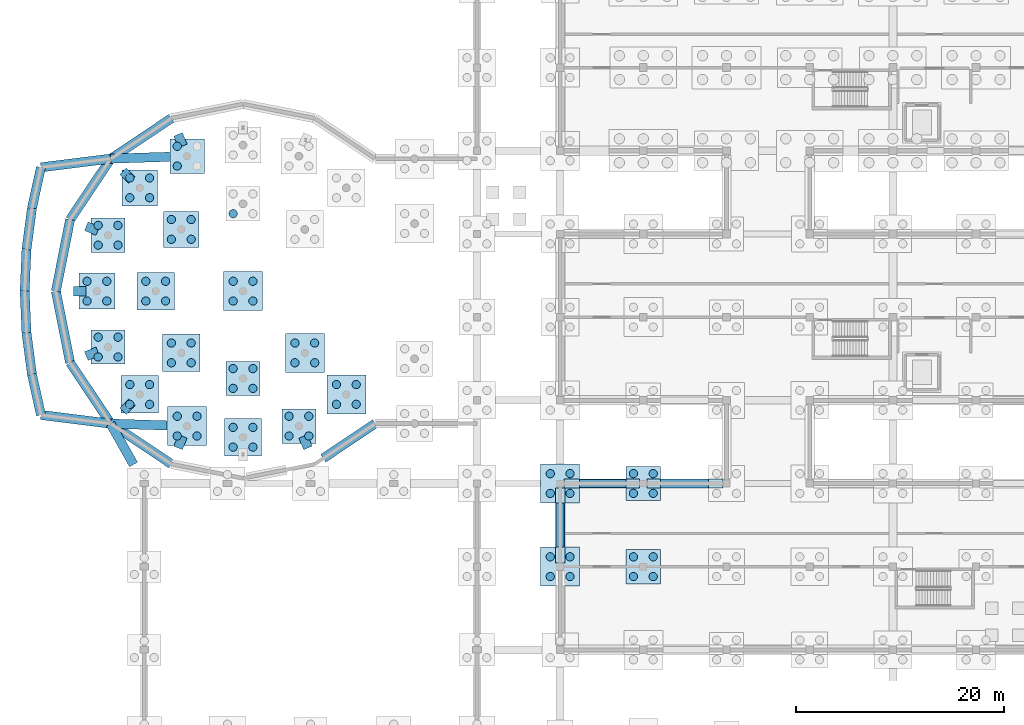
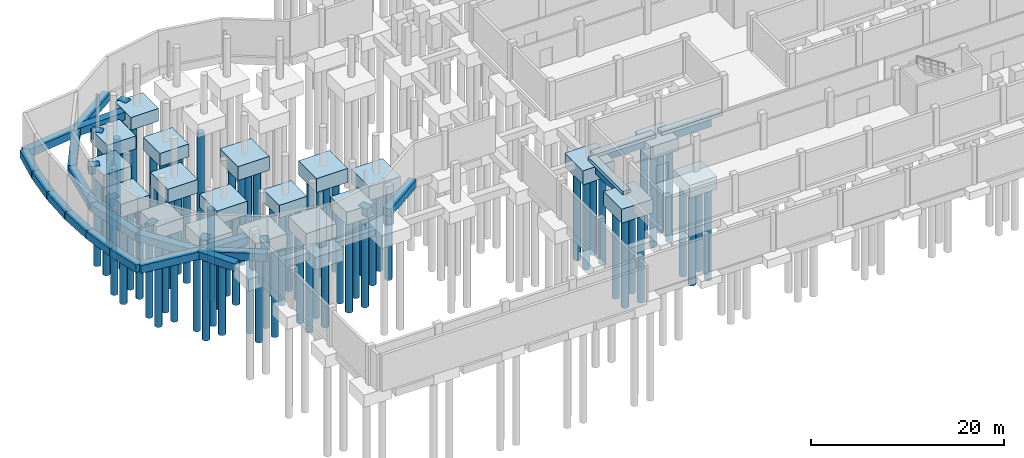
# One storey, part 2 of 51: 79 piles, 52 footings.
"""IFC4 building model written with IfcOpenShell, lengths in metres."""

from ifc_helpers import new_model, si_unit, direction, frame, origin, origin_2d, place, context, subcontext, project, spatial, rectangle, circle, extrude, material, material_profile, profile_set, type_object, element, save


model = new_model("IFC4")

# Units and contexts
model_context = context("Model", 3, precision=1e-05, world=origin(), true_north=direction((0.0, 1.0)))
body_context = subcontext(model_context, "Body", "Model", "MODEL_VIEW")
ifc_project = project(units=[si_unit("LENGTHUNIT", "METRE"), si_unit("AREAUNIT", "SQUARE_METRE"), si_unit("VOLUMEUNIT", "CUBIC_METRE"), si_unit("PLANEANGLEUNIT", "RADIAN"), si_unit("MASSUNIT", "GRAM", prefix="KILO")], contexts=[model_context])

# Site, building, storey
site_placement = place(None, origin())
site = spatial("IfcSite", under=ifc_project, at=site_placement, CompositionType="ELEMENT")
building_placement = place(site_placement, origin())
building = spatial("IfcBuilding", under=site, at=building_placement, Name="Jelvoka-Kovrelna Polytechnic", CompositionType="ELEMENT")
storey_placement = place(building_placement, frame((0.0, 0.0, -4.5)))
storey = spatial("IfcBuildingStorey", under=building, at=storey_placement, Name="B01", CompositionType="ELEMENT", Elevation=-4.5)

# Footings
ifc_material_1 = material(Name="Concrete C35/45", Category="concrete")
footing_type_1 = type_object("IfcFootingType", Name="Footing_PileCap_PC4A", PredefinedType="PILE_CAP", material=ifc_material_1)
for number, where, z_axis, x_axis, name in (
    (1, (64.0, 16.0, -2.005126953125), (0.0, 0.0, 1.0), (1.0, 0.0, 0.0), "Bored pile cap 036 (PC-4)"),
    (2, (64.0, 24.0, -2.005126953125), (0.0, 0.0, 1.0), (1.0, 0.0, 0.0), "Bored pile cap 060 (PC-4)"),
    (3, (30.876708984375, 29.51953125, -2.005126953125), (0.0, 0.0, 1.0), (1.0, 0.0, 0.0), "Bored pile cap 080 (PC-4)"),
    (4, (25.5, 34.10009765625, -2.005126953125), (0.0, 0.0, 1.0), (1.0, 0.0, 0.0), "Bored pile cap 104 (PC-4)"),
    (5, (12.51953125, 37.123291015625, -2.005126953125), (0.0, 0.0, 1.0), (1.0, 0.0, 0.0), "Bored pile cap 108 (PC-4)"),
    (6, (12.51953125, 47.876708984375, -2.005126953125), (0.0, 0.0, 1.0), (1.0, 0.0, 0.0), "Bored pile cap 132 (PC-4)"),
    (7, (20.123291015625, 55.48046875, -2.005126953125), (0.0, 0.0, 1.0), (1.0, 0.0, 0.0), "Bored pile cap 160 (PC-4)"),
):
    element("IfcFooting", number, at=place(storey_placement, frame(where, z_axis=z_axis, x_axis=x_axis)), inside=storey, type_object=footing_type_1, Name=name, PredefinedType="PILE_CAP", context=body_context, shape_type="SweptSolid", body=[
        extrude(rectangle(XDim=3.300048828125, YDim=3.300048828125, at=origin_2d()), origin(), (0.0, 0.0, 1.0), 1.60009765625),
    ])
ifc_material_2 = material(Name="Concrete C35/45", Category="concrete")
footing_type_2 = type_object("IfcFootingType", Name="Footing_PileCap_PC4B", PredefinedType="PILE_CAP", material=ifc_material_2)
for number, where, z_axis, x_axis, name in (
    (8, (11.449951171875, 42.5, -2.054931640625), (0.0, 0.0, 1.0), (1.0, 0.0, 0.0), "Bored pile cap 129 (PC-4)"),
    (9, (19.560302734375, 48.439697265625, -2.054931640625), (0.0, 0.0, 1.0), (1.0, 0.0, 0.0), "Bored pile cap 153 (PC-4)"),
    (10, (15.565185546875, 52.434814453125, -2.054931640625), (0.0, 0.0, 1.0), (1.0, 0.0, 0.0), "Bored pile cap 157 (PC-4)"),
):
    element("IfcFooting", number, at=place(storey_placement, frame(where, z_axis=z_axis, x_axis=x_axis)), inside=storey, type_object=footing_type_2, Name=name, PredefinedType="PILE_CAP", context=body_context, shape_type="SweptSolid", body=[
        extrude(rectangle(XDim=3.449951171875, YDim=3.449951171875, at=origin_2d()), origin(), (0.0, 0.0, 1.0), 1.64990234375),
    ])
ifc_material_3 = material(Name="Concrete C35/45", Category="concrete")
footing_type_3 = type_object("IfcFootingType", Name="Footing_PileCap_PC4C", PredefinedType="PILE_CAP", material=ifc_material_3)
for number, where, z_axis, x_axis, name in (
    (11, (25.5, 28.449951171875, -2.10498046875), (0.0, 0.0, 1.0), (1.0, 0.0, 0.0), "Bored pile cap 078 (PC-4)"),
    (12, (15.565185546875, 32.565185546875, -2.10498046875), (0.0, 0.0, 1.0), (1.0, 0.0, 0.0), "Bored pile cap 102 (PC-4)"),
    (13, (19.560302734375, 36.560302734375, -2.10498046875), (0.0, 0.0, 1.0), (1.0, 0.0, 0.0), "Bored pile cap 106 (PC-4)"),
    (14, (17.10009765625, 42.5, -2.10498046875), (0.0, 0.0, 1.0), (1.0, 0.0, 0.0), "Bored pile cap 130 (PC-4)"),
):
    element("IfcFooting", number, at=place(storey_placement, frame(where, z_axis=z_axis, x_axis=x_axis)), inside=storey, type_object=footing_type_3, Name=name, PredefinedType="PILE_CAP", context=body_context, shape_type="SweptSolid", body=[
        extrude(rectangle(XDim=3.60009765625, YDim=3.60009765625, at=origin_2d()), origin(), (0.0, 0.0, 1.0), 1.699951171875),
    ])
ifc_material_4 = material(Name="Concrete C35/45", Category="concrete")
footing_type_4 = type_object("IfcFootingType", Name="Footing_PileCap_PC4D", PredefinedType="PILE_CAP", material=ifc_material_4)
for number, where, z_axis, x_axis, name in (
    (15, (56.0, 16.0, -2.155029296875), (0.0, 0.0, 1.0), (1.0, 0.0, 0.0), "Bored pile cap 035 (PC-4)"),
    (16, (56.0, 24.0, -2.155029296875), (0.0, 0.0, 1.0), (1.0, 0.0, 0.0), "Bored pile cap 059 (PC-4)"),
    (17, (20.123291015625, 29.51953125, -2.155029296875), (0.0, 0.0, 1.0), (1.0, 0.0, 0.0), "Bored pile cap 079 (PC-4)"),
    (18, (35.434814453125, 32.565185546875, -2.155029296875), (0.0, 0.0, 1.0), (1.0, 0.0, 0.0), "Bored pile cap 103 (PC-4)"),
    (19, (31.439697265625, 36.560302734375, -2.155029296875), (0.0, 0.0, 1.0), (1.0, 0.0, 0.0), "Bored pile cap 107 (PC-4)"),
    (20, (25.5, 42.5, -2.155029296875), (0.0, 0.0, 1.0), (1.0, 0.0, 0.0), "Bored pile cap 131 (PC-4)"),
):
    element("IfcFooting", number, at=place(storey_placement, frame(where, z_axis=z_axis, x_axis=x_axis)), inside=storey, type_object=footing_type_4, Name=name, PredefinedType="PILE_CAP", context=body_context, shape_type="SweptSolid", body=[
        extrude(rectangle(XDim=3.75, YDim=3.75, at=origin_2d()), origin(), (0.0, 0.0, 1.0), 1.75),
    ])
ifc_material_5 = material(Name="Concrete C35/45", Category="concrete")
footing_type_5 = type_object("IfcFootingType", Name="Footing_Strip_SF2", PredefinedType="STRIP_FOOTING", material=ifc_material_5)
footing_1_placement = place(storey_placement, frame((56.0, 20.0, -1.255126953125), z_axis=(0.0, 0.0, 1.0), x_axis=(0.0, 1.0, 0.0)))
element("IfcFooting", 21, at=footing_1_placement, inside=storey, type_object=footing_type_5, Name="Strip foundation tie beam 036", PredefinedType="STRIP_FOOTING", context=body_context, shape_type="SweptSolid", body=[
    extrude(rectangle(XDim=4.24609375, YDim=0.75, at=origin_2d()), origin(), (0.0, 0.0, 1.0), 0.85009765625),
])
footing_2_placement = place(storey_placement, frame((60.112548828125, 24.0, -1.255126953125), z_axis=(0.0, 0.0, 1.0), x_axis=(1.0, 0.0, 0.0)))
element("IfcFooting", 22, at=footing_2_placement, inside=storey, type_object=footing_type_5, Name="Strip foundation tie beam 037", PredefinedType="STRIP_FOOTING", context=body_context, shape_type="SweptSolid", body=[
    extrude(rectangle(XDim=4.470947265625, YDim=0.75, at=origin_2d()), origin(), (0.0, 0.0, 1.0), 0.85009765625),
])
ifc_material_6 = material(Name="Concrete C35/45", Category="concrete")
footing_type_6 = type_object("IfcFootingType", Name="Footing_Strip_SF3", PredefinedType="STRIP_FOOTING", material=ifc_material_6)
footing_3_placement = place(storey_placement, frame((67.96240234375, 24.0, -1.35498046875), z_axis=(0.0, 0.0, 1.0), x_axis=(1.0, 0.0, 0.0)))
element("IfcFooting", 23, at=footing_3_placement, inside=storey, type_object=footing_type_6, Name="Strip foundation tie beam 054", PredefinedType="STRIP_FOOTING", context=body_context, shape_type="SweptSolid", body=[
    extrude(rectangle(XDim=4.62109375, YDim=0.89990234375, at=origin_2d()), origin(), (0.0, 0.0, 1.0), 0.949951171875),
])
for number, where, z_axis, x_axis, name in (
    (24, (15.69189453125, 57.1787109375, -1.35498046875), (0.0, 0.0, 1.0), (0.831469612303, 0.55557023302, 0.0), "Strip foundation tie beam 304"),
    (25, (10.821044921875, 52.30810546875, -1.35498046875), (0.0, 0.0, 1.0), (0.55557023302, 0.831469612303, 0.0), "Strip foundation tie beam 305"),
    (26, (8.18505859375, 45.944091796875, -1.35498046875), (0.0, 0.0, 1.0), (0.195090322016, 0.980785280403, 0.0), "Strip foundation tie beam 306"),
    (27, (8.18505859375, 39.055908203125, -1.35498046875), (0.0, 0.0, 1.0), (-0.195090322016, 0.980785280403, 0.0), "Strip foundation tie beam 307"),
    (28, (10.821044921875, 32.69189453125, -1.35498046875), (0.0, 0.0, 1.0), (-0.55557023302, 0.831469612303, 0.0), "Strip foundation tie beam 308"),
    (29, (15.69189453125, 27.821044921875, -1.35498046875), (0.0, 0.0, 1.0), (-0.831469612303, 0.55557023302, 0.0), "Strip foundation tie beam 309"),
):
    element("IfcFooting", number, at=place(storey_placement, frame(where, z_axis=z_axis, x_axis=x_axis)), inside=storey, type_object=footing_type_6, Name=name, PredefinedType="STRIP_FOOTING", context=body_context, shape_type="SweptSolid", body=[
        extrude(rectangle(XDim=7.023193359375, YDim=0.89990234375, at=origin_2d()), origin(), (0.0, 0.0, 1.0), 0.949951171875),
    ])
footing_4_placement = place(storey_placement, frame((35.722900390625, 28.098388671875, -1.35498046875), z_axis=(0.0, 0.0, 1.0), x_axis=(0.831469612303, 0.55557023302, 0.0)))
element("IfcFooting", 30, at=footing_4_placement, inside=storey, type_object=footing_type_6, Name="Strip foundation tie beam 312", PredefinedType="STRIP_FOOTING", context=body_context, shape_type="SweptSolid", body=[
    extrude(rectangle(XDim=6.025146484375, YDim=0.89990234375, at=origin_2d()), origin(), (0.0, 0.0, 1.0), 0.949951171875),
])
footing_5_placement = place(storey_placement, frame((5.633056640625, 52.44677734375, -1.35498046875), z_axis=(0.0, 0.0, 1.0), x_axis=(0.216439613938, 0.97629600712, 0.0)))
element("IfcFooting", 31, at=footing_5_placement, inside=storey, type_object=footing_type_6, Name="Strip foundation tie beam 317", PredefinedType="STRIP_FOOTING", context=body_context, shape_type="SweptSolid", body=[
    extrude(rectangle(XDim=4.012939453125, YDim=0.89990234375, at=origin_2d()), origin(), (0.0, 0.0, 1.0), 0.949951171875),
])
for number, where, z_axis, x_axis, name in (
    (32, (4.936279296875, 48.493896484375, -1.35498046875), (0.0, 0.0, 1.0), (0.13052619222, 0.991444861374, 0.0), "Strip foundation tie beam 318"),
    (33, (4.58740234375, 44.499755859375, -1.35498046875), (0.0, 0.0, 1.0), (0.043619387365, 0.999048221582, 0.0), "Strip foundation tie beam 319"),
    (34, (4.587646484375, 40.490478515625, -1.35498046875), (0.0, 0.0, 1.0), (-0.043619387365, 0.999048221582, 0.0), "Strip foundation tie beam 320"),
    (35, (4.9375, 36.49658203125, -1.35498046875), (0.0, 0.0, 1.0), (-0.13052619222, 0.991444861374, 0.0), "Strip foundation tie beam 321"),
    (36, (5.634033203125, 32.548583984375, -1.35498046875), (0.0, 0.0, 1.0), (-0.216439613938, 0.97629600712, 0.0), "Strip foundation tie beam 322"),
):
    element("IfcFooting", number, at=place(storey_placement, frame(where, z_axis=z_axis, x_axis=x_axis)), inside=storey, type_object=footing_type_6, Name=name, PredefinedType="STRIP_FOOTING", context=body_context, shape_type="SweptSolid", body=[
        extrude(rectangle(XDim=4.00341796875, YDim=0.89990234375, at=origin_2d()), origin(), (0.0, 0.0, 1.0), 0.949951171875),
    ])
for number, where, z_axis, x_axis, name in (
    (37, (9.41259765625, 30.176025390625, -1.35498046875), (0.0, 0.0, 1.0), (-0.99226708428, 0.124121043561, 0.0), "Strip foundation tie beam 323"),
    (38, (9.41259765625, 54.823974609375, -1.35498046875), (0.0, 0.0, 1.0), (0.99226708428, 0.124121043561, 0.0), "Strip foundation tie beam 324"),
):
    element("IfcFooting", number, at=place(storey_placement, frame(where, z_axis=z_axis, x_axis=x_axis)), inside=storey, type_object=footing_type_6, Name=name, PredefinedType="STRIP_FOOTING", context=body_context, shape_type="SweptSolid", body=[
        extrude(rectangle(XDim=6.74267578125, YDim=0.89990234375, at=origin_2d()), origin(), (0.0, 0.0, 1.0), 0.949951171875),
    ])
footing_6_placement = place(storey_placement, frame((15.48095703125, 29.669921875, -1.35498046875), z_axis=(0.0, 0.0, 1.0), x_axis=(-0.999478768727, 0.032282981026, 0.0)))
element("IfcFooting", 39, at=footing_6_placement, inside=storey, type_object=footing_type_6, Name="Strip foundation tie beam 325", PredefinedType="STRIP_FOOTING", context=body_context, shape_type="SweptSolid", body=[
    extrude(rectangle(XDim=5.41650390625, YDim=0.89990234375, at=origin_2d()), origin(), (0.0, 0.0, 1.0), 0.949951171875),
])
footing_7_placement = place(storey_placement, frame((13.866943359375, 27.788330078125, -1.35498046875), z_axis=(0.0, 0.0, 1.0), x_axis=(-0.490599612724, 0.871385115776, 0.0)))
element("IfcFooting", 40, at=footing_7_placement, inside=storey, type_object=footing_type_6, Name="Strip foundation tie beam 326", PredefinedType="STRIP_FOOTING", context=body_context, shape_type="SweptSolid", body=[
    extrude(rectangle(XDim=4.507080078125, YDim=0.89990234375, at=origin_2d()), origin(), (0.0, 0.0, 1.0), 0.949951171875),
])
footing_8_placement = place(storey_placement, frame((15.596923828125, 55.333984375, -1.35498046875), z_axis=(0.0, 0.0, 1.0), x_axis=(0.999478768727, 0.032282981026, 0.0)))
element("IfcFooting", 41, at=footing_8_placement, inside=storey, type_object=footing_type_6, Name="Strip foundation tie beam 327", PredefinedType="STRIP_FOOTING", context=body_context, shape_type="SweptSolid", body=[
    extrude(rectangle(XDim=5.6484375, YDim=0.89990234375, at=origin_2d()), origin(), (0.0, 0.0, 1.0), 0.949951171875),
])
for number, where, z_axis, x_axis, name in (
    (42, (19.484130859375, 57.0234375, -1.35498046875), (0.0, 0.0, 1.0), (-0.382683432365, 0.923879532511, 0.0), "B01 rotunda gallery post strip footing 03"),
    (43, (14.38427734375, 53.61572265625, -1.35498046875), (0.0, 0.0, 1.0), (-0.707106781187, 0.707106781187, 0.0), "B01 rotunda gallery post strip footing 04"),
    (44, (10.9765625, 48.515869140625, -1.35498046875), (0.0, 0.0, 1.0), (-0.923879532511, 0.382683432365, 0.0), "B01 rotunda gallery post strip footing 05"),
    (45, (9.780029296875, 42.5, -1.35498046875), (0.0, 0.0, 1.0), (1.0, 0.0, 0.0), "B01 rotunda gallery post strip footing 06"),
    (46, (10.9765625, 36.484130859375, -1.35498046875), (0.0, 0.0, 1.0), (0.923879532511, 0.382683432365, 0.0), "B01 rotunda gallery post strip footing 07"),
    (47, (14.38427734375, 31.38427734375, -1.35498046875), (0.0, 0.0, 1.0), (0.707106781187, 0.707106781187, 0.0), "B01 rotunda gallery post strip footing 08"),
    (48, (19.484130859375, 27.9765625, -1.35498046875), (0.0, 0.0, 1.0), (0.382683432365, 0.923879532511, 0.0), "B01 rotunda gallery post strip footing 09"),
    (49, (31.515869140625, 27.9765625, -1.35498046875), (0.0, 0.0, 1.0), (-0.382683432365, 0.923879532511, 0.0), "B01 rotunda gallery post strip footing 11"),
):
    element("IfcFooting", number, at=place(storey_placement, frame(where, z_axis=z_axis, x_axis=x_axis)), inside=storey, type_object=footing_type_6, Name=name, PredefinedType="STRIP_FOOTING", context=body_context, shape_type="SweptSolid", body=[
        extrude(rectangle(XDim=1.199951171875, YDim=0.89990234375, at=origin_2d()), origin(), (0.0, 0.0, 1.0), 0.949951171875),
    ])
for number, where, z_axis, x_axis, name in (
    (50, (60.0, 24.0, -0.40478515625), (0.0, 0.0, 1.0), (1.0, 0.0, 0.0), "Strip foundation plinth beam B01W-002"),
    (51, (68.0, 24.0, -0.40478515625), (0.0, 0.0, 1.0), (1.0, 0.0, 0.0), "Strip foundation plinth beam B01W-004"),
):
    element("IfcFooting", number, at=place(storey_placement, frame(where, z_axis=z_axis, x_axis=x_axis)), inside=storey, type_object=footing_type_6, Name=name, PredefinedType="STRIP_FOOTING", context=body_context, shape_type="SweptSolid", body=[
        extrude(rectangle(XDim=7.300048828125, YDim=0.89990234375, at=origin_2d()), origin(), (0.0, 0.0, 1.0), 0.405029296875),
    ])
footing_9_placement = place(storey_placement, frame((56.0, 19.948974609375, -0.40478515625), z_axis=(0.0, 0.0, 1.0), x_axis=(0.0, 1.0, 0.0)))
element("IfcFooting", 52, at=footing_9_placement, inside=storey, type_object=footing_type_6, Name="Strip foundation plinth beam B01W-035", PredefinedType="STRIP_FOOTING", context=body_context, shape_type="SweptSolid", body=[
    extrude(rectangle(XDim=7.197998046875, YDim=0.89990234375, at=origin_2d()), origin(), (0.0, 0.0, 1.0), 0.405029296875),
])

# Piles
ifc_material_7 = material(Name="Concrete C35/45", Category="concrete")
ifc_material_profile = material_profile(ifc_material_7, circle(Radius=0.39990234375, at=origin_2d()), Name="PILE D800")
ifc_profile_set = profile_set([ifc_material_profile], Name="Concrete C35/45")
pile_type = type_object("IfcPileType", Name="Pile_Bored_800", PredefinedType="BORED", material=ifc_profile_set)
for number, where, z_axis, x_axis, name in (
    (53, (55.050048828125, 15.050048828125, -2.054931640625), (0.0, 0.0, -1.0), (1.0, 0.0, 0.0), "Bored concrete pile 035-1"),
    (54, (56.949951171875, 15.050048828125, -2.054931640625), (0.0, 0.0, -1.0), (1.0, 0.0, 0.0), "Bored concrete pile 035-2"),
    (55, (55.050048828125, 16.949951171875, -2.054931640625), (0.0, 0.0, -1.0), (1.0, 0.0, 0.0), "Bored concrete pile 035-3"),
    (56, (56.949951171875, 16.949951171875, -2.054931640625), (0.0, 0.0, -1.0), (1.0, 0.0, 0.0), "Bored concrete pile 035-4"),
):
    element("IfcPile", number, at=place(storey_placement, frame(where, z_axis=z_axis, x_axis=x_axis)), inside=storey, type_object=pile_type, Name=name, PredefinedType="BORED", context=body_context, shape_type="SweptSolid", body=[
        extrude(circle(Radius=0.39990234375, at=origin_2d()), origin(), (0.0, 0.0, 1.0), 11.445068359375),
    ])
for number, where, z_axis, x_axis, name in (
    (57, (63.050048828125, 15.050048828125, -1.905029296875), (0.0, 0.0, -1.0), (1.0, 0.0, 0.0), "Bored concrete pile 036-1"),
    (58, (64.949951171875, 15.050048828125, -1.905029296875), (0.0, 0.0, -1.0), (1.0, 0.0, 0.0), "Bored concrete pile 036-2"),
    (59, (63.050048828125, 16.949951171875, -1.905029296875), (0.0, 0.0, -1.0), (1.0, 0.0, 0.0), "Bored concrete pile 036-3"),
    (60, (64.949951171875, 16.949951171875, -1.905029296875), (0.0, 0.0, -1.0), (1.0, 0.0, 0.0), "Bored concrete pile 036-4"),
):
    element("IfcPile", number, at=place(storey_placement, frame(where, z_axis=z_axis, x_axis=x_axis)), inside=storey, type_object=pile_type, Name=name, PredefinedType="BORED", context=body_context, shape_type="SweptSolid", body=[
        extrude(circle(Radius=0.39990234375, at=origin_2d()), origin(), (0.0, 0.0, 1.0), 11.594970703125),
    ])
for number, where, z_axis, x_axis, name in (
    (61, (55.050048828125, 23.050048828125, -2.054931640625), (0.0, 0.0, -1.0), (1.0, 0.0, 0.0), "Bored concrete pile 059-1"),
    (62, (56.949951171875, 23.050048828125, -2.054931640625), (0.0, 0.0, -1.0), (1.0, 0.0, 0.0), "Bored concrete pile 059-2"),
    (63, (55.050048828125, 24.949951171875, -2.054931640625), (0.0, 0.0, -1.0), (1.0, 0.0, 0.0), "Bored concrete pile 059-3"),
    (64, (56.949951171875, 24.949951171875, -2.054931640625), (0.0, 0.0, -1.0), (1.0, 0.0, 0.0), "Bored concrete pile 059-4"),
):
    element("IfcPile", number, at=place(storey_placement, frame(where, z_axis=z_axis, x_axis=x_axis)), inside=storey, type_object=pile_type, Name=name, PredefinedType="BORED", context=body_context, shape_type="SweptSolid", body=[
        extrude(circle(Radius=0.39990234375, at=origin_2d()), origin(), (0.0, 0.0, 1.0), 11.445068359375),
    ])
for number, where, z_axis, x_axis, name in (
    (65, (63.050048828125, 23.050048828125, -1.905029296875), (0.0, 0.0, -1.0), (1.0, 0.0, 0.0), "Bored concrete pile 060-1"),
    (66, (64.949951171875, 23.050048828125, -1.905029296875), (0.0, 0.0, -1.0), (1.0, 0.0, 0.0), "Bored concrete pile 060-2"),
    (67, (63.050048828125, 24.949951171875, -1.905029296875), (0.0, 0.0, -1.0), (1.0, 0.0, 0.0), "Bored concrete pile 060-3"),
    (68, (64.949951171875, 24.949951171875, -1.905029296875), (0.0, 0.0, -1.0), (1.0, 0.0, 0.0), "Bored concrete pile 060-4"),
):
    element("IfcPile", number, at=place(storey_placement, frame(where, z_axis=z_axis, x_axis=x_axis)), inside=storey, type_object=pile_type, Name=name, PredefinedType="BORED", context=body_context, shape_type="SweptSolid", body=[
        extrude(circle(Radius=0.39990234375, at=origin_2d()), origin(), (0.0, 0.0, 1.0), 11.594970703125),
    ])
for number, where, z_axis, x_axis, name in (
    (69, (24.550048828125, 27.5, -2.0048828125), (0.0, 0.0, -1.0), (1.0, 0.0, 0.0), "Bored concrete pile 078-1"),
    (70, (26.449951171875, 27.5, -2.0048828125), (0.0, 0.0, -1.0), (1.0, 0.0, 0.0), "Bored concrete pile 078-2"),
    (71, (24.550048828125, 29.39990234375, -2.0048828125), (0.0, 0.0, -1.0), (1.0, 0.0, 0.0), "Bored concrete pile 078-3"),
    (72, (26.449951171875, 29.39990234375, -2.0048828125), (0.0, 0.0, -1.0), (1.0, 0.0, 0.0), "Bored concrete pile 078-4"),
):
    element("IfcPile", number, at=place(storey_placement, frame(where, z_axis=z_axis, x_axis=x_axis)), inside=storey, type_object=pile_type, Name=name, PredefinedType="BORED", context=body_context, shape_type="SweptSolid", body=[
        extrude(circle(Radius=0.39990234375, at=origin_2d()), origin(), (0.0, 0.0, 1.0), 11.4951171875),
    ])
for number, where, z_axis, x_axis, name in (
    (73, (19.17333984375, 28.569580078125, -2.054931640625), (0.0, 0.0, -1.0), (1.0, 0.0, 0.0), "Bored concrete pile 079-1"),
    (74, (21.0732421875, 28.569580078125, -2.054931640625), (0.0, 0.0, -1.0), (1.0, 0.0, 0.0), "Bored concrete pile 079-2"),
    (75, (19.17333984375, 30.469482421875, -2.054931640625), (0.0, 0.0, -1.0), (1.0, 0.0, 0.0), "Bored concrete pile 079-3"),
    (76, (21.0732421875, 30.469482421875, -2.054931640625), (0.0, 0.0, -1.0), (1.0, 0.0, 0.0), "Bored concrete pile 079-4"),
):
    element("IfcPile", number, at=place(storey_placement, frame(where, z_axis=z_axis, x_axis=x_axis)), inside=storey, type_object=pile_type, Name=name, PredefinedType="BORED", context=body_context, shape_type="SweptSolid", body=[
        extrude(circle(Radius=0.39990234375, at=origin_2d()), origin(), (0.0, 0.0, 1.0), 11.445068359375),
    ])
for number, where, z_axis, x_axis, name in (
    (77, (29.9267578125, 28.569580078125, -1.905029296875), (0.0, 0.0, -1.0), (1.0, 0.0, 0.0), "Bored concrete pile 080-1"),
    (78, (31.82666015625, 28.569580078125, -1.905029296875), (0.0, 0.0, -1.0), (1.0, 0.0, 0.0), "Bored concrete pile 080-2"),
    (79, (29.9267578125, 30.469482421875, -1.905029296875), (0.0, 0.0, -1.0), (1.0, 0.0, 0.0), "Bored concrete pile 080-3"),
    (80, (31.82666015625, 30.469482421875, -1.905029296875), (0.0, 0.0, -1.0), (1.0, 0.0, 0.0), "Bored concrete pile 080-4"),
):
    element("IfcPile", number, at=place(storey_placement, frame(where, z_axis=z_axis, x_axis=x_axis)), inside=storey, type_object=pile_type, Name=name, PredefinedType="BORED", context=body_context, shape_type="SweptSolid", body=[
        extrude(circle(Radius=0.39990234375, at=origin_2d()), origin(), (0.0, 0.0, 1.0), 11.594970703125),
    ])
for number, where, z_axis, x_axis, name in (
    (81, (14.614990234375, 31.614990234375, -2.0048828125), (0.0, 0.0, -1.0), (1.0, 0.0, 0.0), "Bored concrete pile 102-1"),
    (82, (16.51513671875, 31.614990234375, -2.0048828125), (0.0, 0.0, -1.0), (1.0, 0.0, 0.0), "Bored concrete pile 102-2"),
    (83, (14.614990234375, 33.51513671875, -2.0048828125), (0.0, 0.0, -1.0), (1.0, 0.0, 0.0), "Bored concrete pile 102-3"),
    (84, (16.51513671875, 33.51513671875, -2.0048828125), (0.0, 0.0, -1.0), (1.0, 0.0, 0.0), "Bored concrete pile 102-4"),
):
    element("IfcPile", number, at=place(storey_placement, frame(where, z_axis=z_axis, x_axis=x_axis)), inside=storey, type_object=pile_type, Name=name, PredefinedType="BORED", context=body_context, shape_type="SweptSolid", body=[
        extrude(circle(Radius=0.39990234375, at=origin_2d()), origin(), (0.0, 0.0, 1.0), 11.4951171875),
    ])
for number, where, z_axis, x_axis, name in (
    (85, (34.48486328125, 31.614990234375, -2.054931640625), (0.0, 0.0, -1.0), (1.0, 0.0, 0.0), "Bored concrete pile 103-1"),
    (86, (36.385009765625, 31.614990234375, -2.054931640625), (0.0, 0.0, -1.0), (1.0, 0.0, 0.0), "Bored concrete pile 103-2"),
    (87, (34.48486328125, 33.51513671875, -2.054931640625), (0.0, 0.0, -1.0), (1.0, 0.0, 0.0), "Bored concrete pile 103-3"),
    (88, (36.385009765625, 33.51513671875, -2.054931640625), (0.0, 0.0, -1.0), (1.0, 0.0, 0.0), "Bored concrete pile 103-4"),
):
    element("IfcPile", number, at=place(storey_placement, frame(where, z_axis=z_axis, x_axis=x_axis)), inside=storey, type_object=pile_type, Name=name, PredefinedType="BORED", context=body_context, shape_type="SweptSolid", body=[
        extrude(circle(Radius=0.39990234375, at=origin_2d()), origin(), (0.0, 0.0, 1.0), 11.445068359375),
    ])
for number, where, z_axis, x_axis, name in (
    (89, (24.550048828125, 33.14990234375, -1.905029296875), (0.0, 0.0, -1.0), (1.0, 0.0, 0.0), "Bored concrete pile 104-1"),
    (90, (26.449951171875, 33.14990234375, -1.905029296875), (0.0, 0.0, -1.0), (1.0, 0.0, 0.0), "Bored concrete pile 104-2"),
    (91, (24.550048828125, 35.050048828125, -1.905029296875), (0.0, 0.0, -1.0), (1.0, 0.0, 0.0), "Bored concrete pile 104-3"),
    (92, (26.449951171875, 35.050048828125, -1.905029296875), (0.0, 0.0, -1.0), (1.0, 0.0, 0.0), "Bored concrete pile 104-4"),
):
    element("IfcPile", number, at=place(storey_placement, frame(where, z_axis=z_axis, x_axis=x_axis)), inside=storey, type_object=pile_type, Name=name, PredefinedType="BORED", context=body_context, shape_type="SweptSolid", body=[
        extrude(circle(Radius=0.39990234375, at=origin_2d()), origin(), (0.0, 0.0, 1.0), 11.594970703125),
    ])
for number, where, z_axis, x_axis, name in (
    (93, (18.6103515625, 35.6103515625, -2.0048828125), (0.0, 0.0, -1.0), (1.0, 0.0, 0.0), "Bored concrete pile 106-1"),
    (94, (20.51025390625, 35.6103515625, -2.0048828125), (0.0, 0.0, -1.0), (1.0, 0.0, 0.0), "Bored concrete pile 106-2"),
    (95, (18.6103515625, 37.51025390625, -2.0048828125), (0.0, 0.0, -1.0), (1.0, 0.0, 0.0), "Bored concrete pile 106-3"),
    (96, (20.51025390625, 37.51025390625, -2.0048828125), (0.0, 0.0, -1.0), (1.0, 0.0, 0.0), "Bored concrete pile 106-4"),
):
    element("IfcPile", number, at=place(storey_placement, frame(where, z_axis=z_axis, x_axis=x_axis)), inside=storey, type_object=pile_type, Name=name, PredefinedType="BORED", context=body_context, shape_type="SweptSolid", body=[
        extrude(circle(Radius=0.39990234375, at=origin_2d()), origin(), (0.0, 0.0, 1.0), 11.4951171875),
    ])
for number, where, z_axis, x_axis, name in (
    (97, (30.48974609375, 35.6103515625, -2.054931640625), (0.0, 0.0, -1.0), (1.0, 0.0, 0.0), "Bored concrete pile 107-1"),
    (98, (32.3896484375, 35.6103515625, -2.054931640625), (0.0, 0.0, -1.0), (1.0, 0.0, 0.0), "Bored concrete pile 107-2"),
    (99, (30.48974609375, 37.51025390625, -2.054931640625), (0.0, 0.0, -1.0), (1.0, 0.0, 0.0), "Bored concrete pile 107-3"),
    (100, (32.3896484375, 37.51025390625, -2.054931640625), (0.0, 0.0, -1.0), (1.0, 0.0, 0.0), "Bored concrete pile 107-4"),
):
    element("IfcPile", number, at=place(storey_placement, frame(where, z_axis=z_axis, x_axis=x_axis)), inside=storey, type_object=pile_type, Name=name, PredefinedType="BORED", context=body_context, shape_type="SweptSolid", body=[
        extrude(circle(Radius=0.39990234375, at=origin_2d()), origin(), (0.0, 0.0, 1.0), 11.445068359375),
    ])
for number, where, z_axis, x_axis, name in (
    (101, (11.569580078125, 36.17333984375, -1.905029296875), (0.0, 0.0, -1.0), (1.0, 0.0, 0.0), "Bored concrete pile 108-1"),
    (102, (13.469482421875, 36.17333984375, -1.905029296875), (0.0, 0.0, -1.0), (1.0, 0.0, 0.0), "Bored concrete pile 108-2"),
    (103, (11.569580078125, 38.0732421875, -1.905029296875), (0.0, 0.0, -1.0), (1.0, 0.0, 0.0), "Bored concrete pile 108-3"),
    (104, (13.469482421875, 38.0732421875, -1.905029296875), (0.0, 0.0, -1.0), (1.0, 0.0, 0.0), "Bored concrete pile 108-4"),
):
    element("IfcPile", number, at=place(storey_placement, frame(where, z_axis=z_axis, x_axis=x_axis)), inside=storey, type_object=pile_type, Name=name, PredefinedType="BORED", context=body_context, shape_type="SweptSolid", body=[
        extrude(circle(Radius=0.39990234375, at=origin_2d()), origin(), (0.0, 0.0, 1.0), 11.594970703125),
    ])
for number, where, z_axis, x_axis, name in (
    (105, (10.5, 41.550048828125, -1.955078125), (0.0, 0.0, -1.0), (1.0, 0.0, 0.0), "Bored concrete pile 129-1"),
    (106, (12.39990234375, 41.550048828125, -1.955078125), (0.0, 0.0, -1.0), (1.0, 0.0, 0.0), "Bored concrete pile 129-2"),
    (107, (10.5, 43.449951171875, -1.955078125), (0.0, 0.0, -1.0), (1.0, 0.0, 0.0), "Bored concrete pile 129-3"),
    (108, (12.39990234375, 43.449951171875, -1.955078125), (0.0, 0.0, -1.0), (1.0, 0.0, 0.0), "Bored concrete pile 129-4"),
):
    element("IfcPile", number, at=place(storey_placement, frame(where, z_axis=z_axis, x_axis=x_axis)), inside=storey, type_object=pile_type, Name=name, PredefinedType="BORED", context=body_context, shape_type="SweptSolid", body=[
        extrude(circle(Radius=0.39990234375, at=origin_2d()), origin(), (0.0, 0.0, 1.0), 11.544921875),
    ])
for number, where, z_axis, x_axis, name in (
    (109, (16.14990234375, 41.550048828125, -2.0048828125), (0.0, 0.0, -1.0), (1.0, 0.0, 0.0), "Bored concrete pile 130-1"),
    (110, (18.050048828125, 41.550048828125, -2.0048828125), (0.0, 0.0, -1.0), (1.0, 0.0, 0.0), "Bored concrete pile 130-2"),
    (111, (16.14990234375, 43.449951171875, -2.0048828125), (0.0, 0.0, -1.0), (1.0, 0.0, 0.0), "Bored concrete pile 130-3"),
    (112, (18.050048828125, 43.449951171875, -2.0048828125), (0.0, 0.0, -1.0), (1.0, 0.0, 0.0), "Bored concrete pile 130-4"),
):
    element("IfcPile", number, at=place(storey_placement, frame(where, z_axis=z_axis, x_axis=x_axis)), inside=storey, type_object=pile_type, Name=name, PredefinedType="BORED", context=body_context, shape_type="SweptSolid", body=[
        extrude(circle(Radius=0.39990234375, at=origin_2d()), origin(), (0.0, 0.0, 1.0), 11.4951171875),
    ])
for number, where, z_axis, x_axis, name in (
    (113, (24.550048828125, 41.550048828125, -2.054931640625), (0.0, 0.0, -1.0), (1.0, 0.0, 0.0), "Bored concrete pile 131-1"),
    (114, (26.449951171875, 41.550048828125, -2.054931640625), (0.0, 0.0, -1.0), (1.0, 0.0, 0.0), "Bored concrete pile 131-2"),
    (115, (24.550048828125, 43.449951171875, -2.054931640625), (0.0, 0.0, -1.0), (1.0, 0.0, 0.0), "Bored concrete pile 131-3"),
    (116, (26.449951171875, 43.449951171875, -2.054931640625), (0.0, 0.0, -1.0), (1.0, 0.0, 0.0), "Bored concrete pile 131-4"),
):
    element("IfcPile", number, at=place(storey_placement, frame(where, z_axis=z_axis, x_axis=x_axis)), inside=storey, type_object=pile_type, Name=name, PredefinedType="BORED", context=body_context, shape_type="SweptSolid", body=[
        extrude(circle(Radius=0.39990234375, at=origin_2d()), origin(), (0.0, 0.0, 1.0), 11.445068359375),
    ])
for number, where, z_axis, x_axis, name in (
    (117, (11.569580078125, 46.9267578125, -1.905029296875), (0.0, 0.0, -1.0), (1.0, 0.0, 0.0), "Bored concrete pile 132-1"),
    (118, (13.469482421875, 46.9267578125, -1.905029296875), (0.0, 0.0, -1.0), (1.0, 0.0, 0.0), "Bored concrete pile 132-2"),
    (119, (11.569580078125, 48.82666015625, -1.905029296875), (0.0, 0.0, -1.0), (1.0, 0.0, 0.0), "Bored concrete pile 132-3"),
    (120, (13.469482421875, 48.82666015625, -1.905029296875), (0.0, 0.0, -1.0), (1.0, 0.0, 0.0), "Bored concrete pile 132-4"),
):
    element("IfcPile", number, at=place(storey_placement, frame(where, z_axis=z_axis, x_axis=x_axis)), inside=storey, type_object=pile_type, Name=name, PredefinedType="BORED", context=body_context, shape_type="SweptSolid", body=[
        extrude(circle(Radius=0.39990234375, at=origin_2d()), origin(), (0.0, 0.0, 1.0), 11.594970703125),
    ])
for number, where, z_axis, x_axis, name in (
    (121, (18.6103515625, 47.48974609375, -1.955078125), (0.0, 0.0, -1.0), (1.0, 0.0, 0.0), "Bored concrete pile 153-1"),
    (122, (20.51025390625, 47.48974609375, -1.955078125), (0.0, 0.0, -1.0), (1.0, 0.0, 0.0), "Bored concrete pile 153-2"),
    (123, (18.6103515625, 49.3896484375, -1.955078125), (0.0, 0.0, -1.0), (1.0, 0.0, 0.0), "Bored concrete pile 153-3"),
    (124, (20.51025390625, 49.3896484375, -1.955078125), (0.0, 0.0, -1.0), (1.0, 0.0, 0.0), "Bored concrete pile 153-4"),
):
    element("IfcPile", number, at=place(storey_placement, frame(where, z_axis=z_axis, x_axis=x_axis)), inside=storey, type_object=pile_type, Name=name, PredefinedType="BORED", context=body_context, shape_type="SweptSolid", body=[
        extrude(circle(Radius=0.39990234375, at=origin_2d()), origin(), (0.0, 0.0, 1.0), 11.544921875),
    ])
pile_placement = place(storey_placement, frame((24.550048828125, 49.949951171875, -1.905029296875), z_axis=(0.0, 0.0, -1.0), x_axis=(1.0, 0.0, 0.0)))
element("IfcPile", 125, at=pile_placement, inside=storey, type_object=pile_type, Name="Bored concrete pile 156-1", PredefinedType="BORED", context=body_context, shape_type="SweptSolid", body=[
    extrude(circle(Radius=0.39990234375, at=origin_2d()), origin(), (0.0, 0.0, 1.0), 11.594970703125),
])
for number, where, z_axis, x_axis, name in (
    (126, (14.614990234375, 51.48486328125, -1.955078125), (0.0, 0.0, -1.0), (1.0, 0.0, 0.0), "Bored concrete pile 157-1"),
    (127, (16.51513671875, 51.48486328125, -1.955078125), (0.0, 0.0, -1.0), (1.0, 0.0, 0.0), "Bored concrete pile 157-2"),
    (128, (14.614990234375, 53.385009765625, -1.955078125), (0.0, 0.0, -1.0), (1.0, 0.0, 0.0), "Bored concrete pile 157-3"),
    (129, (16.51513671875, 53.385009765625, -1.955078125), (0.0, 0.0, -1.0), (1.0, 0.0, 0.0), "Bored concrete pile 157-4"),
):
    element("IfcPile", number, at=place(storey_placement, frame(where, z_axis=z_axis, x_axis=x_axis)), inside=storey, type_object=pile_type, Name=name, PredefinedType="BORED", context=body_context, shape_type="SweptSolid", body=[
        extrude(circle(Radius=0.39990234375, at=origin_2d()), origin(), (0.0, 0.0, 1.0), 11.544921875),
    ])
for number, where, z_axis, x_axis, name in (
    (130, (19.17333984375, 54.530517578125, -1.905029296875), (0.0, 0.0, -1.0), (1.0, 0.0, 0.0), "Bored concrete pile 160-1"),
    (131, (19.17333984375, 56.430419921875, -1.905029296875), (0.0, 0.0, -1.0), (1.0, 0.0, 0.0), "Bored concrete pile 160-3"),
):
    element("IfcPile", number, at=place(storey_placement, frame(where, z_axis=z_axis, x_axis=x_axis)), inside=storey, type_object=pile_type, Name=name, PredefinedType="BORED", context=body_context, shape_type="SweptSolid", body=[
        extrude(circle(Radius=0.39990234375, at=origin_2d()), origin(), (0.0, 0.0, 1.0), 11.594970703125),
    ])

save(model, "model.ifc")
